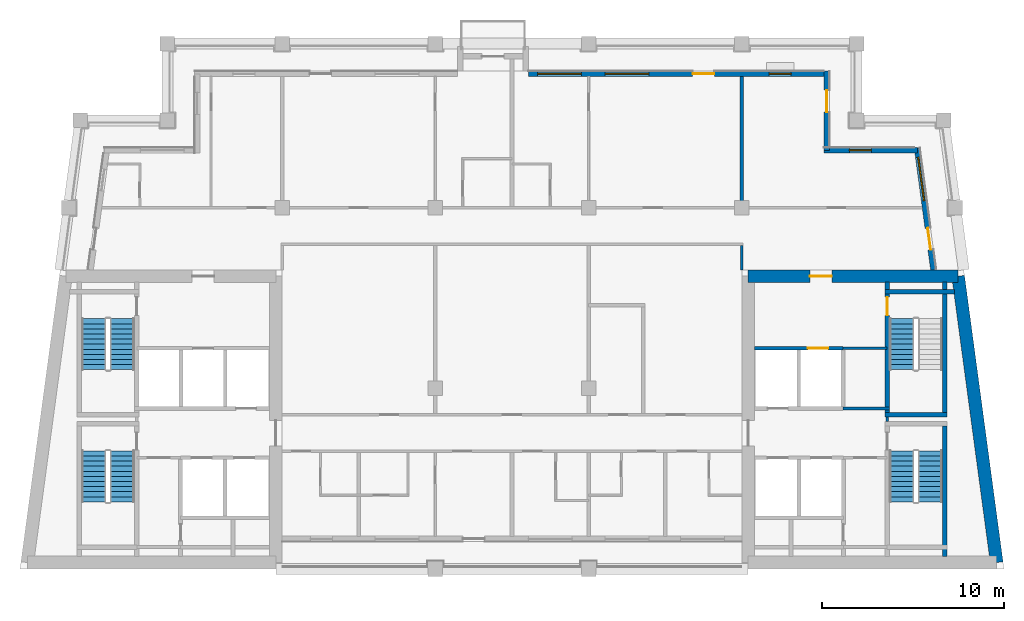
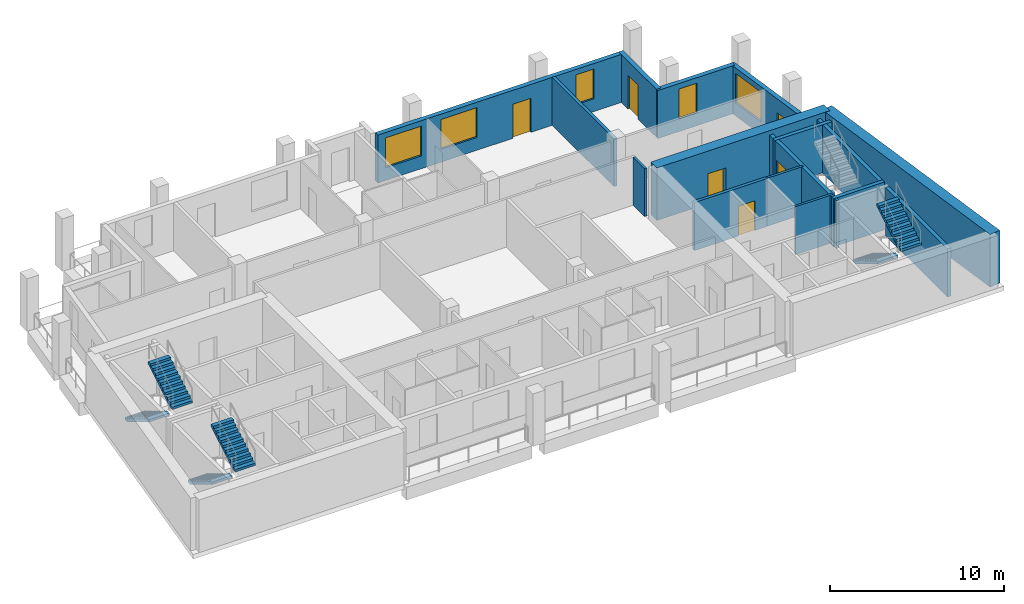
# One storey, part 5 of 10: 17 walls, 7 stair flights, 6 doors, 5 windows, 11 openings, 4 elements without a shape of their own.
"""IFC4 building model written with IfcOpenShell, lengths in metres."""

from ifc_helpers import new_model, si_unit, direction, frame, frame_2d, origin, place, context, subcontext, project, spatial, polyline, rectangle, outline, extrude, material, layer, layer_set, type_object, element, fill, aggregate, save


model = new_model("IFC4")

# Units and contexts
model_context = context("Model", 3, precision=1e-05, world=origin(), true_north=direction((0.0, 1.0)))
body_context = subcontext(model_context, "Body", "Model", "MODEL_VIEW")
ifc_project = project(units=[si_unit("LENGTHUNIT", "METRE"), si_unit("AREAUNIT", "SQUARE_METRE"), si_unit("VOLUMEUNIT", "CUBIC_METRE"), si_unit("PLANEANGLEUNIT", "RADIAN"), si_unit("MASSUNIT", "GRAM", prefix="KILO")], contexts=[model_context])

# Site, building, storey
site_placement = place(None, origin())
site = spatial("IfcSite", under=ifc_project, at=site_placement, CompositionType="ELEMENT")
building_placement = place(site_placement, origin())
building = spatial("IfcBuilding", under=site, at=building_placement, Name="Candeia Pilgrim Tower and Theatre", CompositionType="ELEMENT")
storey_placement = place(building_placement, frame((0.0, 0.0, 288.60009765625)))
storey = spatial("IfcBuildingStorey", under=building, at=storey_placement, Name="L70", CompositionType="ELEMENT", Elevation=288.60009765625)

# Wall, opening, door
ifc_material_1 = material(Name="Concrete C40/50", Category="concrete")
ifc_layer_1 = layer(ifc_material_1, 0.699951171875)
ifc_layer_set_1 = layer_set([ifc_layer_1], Name="Core wall 700 C40/50")
wall_type_1 = type_object("IfcWallType", Name="Core wall 700 C40/50", PredefinedType="SHEAR", material=ifc_layer_set_1)
wall_1_placement = place(storey_placement, frame((126.35009765625, 132.050048828125, 0.0), z_axis=(0.0, 0.0, 1.0), x_axis=(1.0, 0.0, 0.0)))
wall_1 = element("IfcWall", 1, at=wall_1_placement, inside=storey, type_object=wall_type_1, Name="Core wall E1", PredefinedType="SHEAR", context=body_context, shape_type="SweptSolid", body=[
    extrude(rectangle(XDim=11.51318359375, YDim=0.699951171875, at=frame_2d((5.756591796875, 0.0))), origin(), (0.0, 0.0, 1.0), 3.699951171875),
])
opening_1_placement = place(wall_1_placement, frame((3.386474609375, 0.0, 0.0)))
opening_1 = element("IfcOpeningElement", 2, at=opening_1_placement, cuts=wall_1, Name="Opening L70-D036", PredefinedType="OPENING", context=body_context, shape_type="SweptSolid", body=[
    extrude(rectangle(XDim=1.199951171875, YDim=2.10009765625, at=frame_2d((0.60009765625, 1.050048828125))), frame((0.0, 0.35986328125, 0.0), z_axis=(0.0, -1.0, 0.0), x_axis=(1.0, 0.0, 0.0)), (0.0, 0.0, 1.0), 0.719970703125),
])
ifc_material_2 = material(Name="Steel fire door set", Category="steel")
door_type_1 = type_object("IfcDoorType", Name="D-1200-FD60", OperationType="NOTDEFINED", PredefinedType="DOOR", material=ifc_material_2)
door_1_placement = place(opening_1_placement, origin())
door_1 = element("IfcDoor", 3, at=door_1_placement, inside=storey, type_object=door_type_1, Name="Door L70-D036", OperationType="SINGLE_SWING_RIGHT", OverallHeight=2.10009765625, OverallWidth=1.199951171875, PredefinedType="DOOR", context=body_context, shape_type="SweptSolid", body=[
    extrude(rectangle(XDim=1.199951171875, YDim=2.10009765625, at=frame_2d((0.60009765625, 1.050048828125))), frame((0.0, 0.02490234375, 0.0), z_axis=(0.0, -1.0, 0.0), x_axis=(1.0, 0.0, 0.0)), (0.0, 0.0, 1.0), 0.050048828125),
])
fill(opening_1, door_1)

# Wall
wall_2_placement = place(storey_placement, frame((137.86328125, 132.050048828125, 0.0), z_axis=(0.0, 0.0, 1.0), x_axis=(0.133401241494, -0.991062111458, 0.0)))
element("IfcWall", 4, at=wall_2_placement, inside=storey, type_object=wall_type_1, Name="Core wall E2", PredefinedType="SHEAR", context=body_context, shape_type="SweptSolid", body=[
    extrude(rectangle(XDim=15.841552734375, YDim=0.699951171875, at=frame_2d((7.9208984375, 0.0))), origin(), (0.0, 0.0, 1.0), 3.699951171875),
])

# Wall, openings, door, window
ifc_material_3 = material(Name="Ceramic block masonry", Category="masonry")
ifc_layer_2 = layer(ifc_material_3, 0.300048828125)
ifc_layer_set_2 = layer_set([ifc_layer_2], Name="EW1 glazing-line wall 300")
wall_type_2 = type_object("IfcWallType", Name="EW1 glazing-line wall 300", PredefinedType="SOLIDWALL", material=ifc_layer_set_2)
wall_3_placement = place(storey_placement, frame((136.50439453125, 132.39990234375, 0.0), z_axis=(0.0, 0.0, 1.0), x_axis=(-0.133399697462, 0.99106231929, 0.0)))
wall_3 = element("IfcWall", 5, at=wall_3_placement, inside=storey, type_object=wall_type_2, Name="External wall L70-2.0", PredefinedType="SOLIDWALL", context=body_context, shape_type="SweptSolid", body=[
    extrude(rectangle(XDim=6.740478515625, YDim=0.300048828125, at=frame_2d((3.3701171875, 0.0))), origin(), (0.0, 0.0, 1.0), 3.3798828125),
])
opening_2_placement = place(wall_3_placement, frame((1.115234375, 0.0, 0.0)))
opening_2 = element("IfcOpeningElement", 6, at=opening_2_placement, cuts=wall_3, Name="Opening L70-ED655", PredefinedType="OPENING", context=body_context, shape_type="SweptSolid", body=[
    extrude(rectangle(XDim=1.199951171875, YDim=2.39990234375, at=frame_2d((0.60009765625, 1.199951171875))), frame((0.0, 0.16015625, 0.0), z_axis=(0.0, -1.0, 0.0), x_axis=(1.0, 0.0, 0.0)), (0.0, 0.0, 1.0), 0.320068359375),
])
opening_3_placement = place(wall_3_placement, frame((3.83544921875, 0.0, 0.89990234375)))
opening_3 = element("IfcOpeningElement", 7, at=opening_3_placement, cuts=wall_3, Name="Opening W-A", PredefinedType="OPENING", context=body_context, shape_type="SweptSolid", body=[
    extrude(rectangle(XDim=2.39990234375, YDim=2.10009765625, at=frame_2d((1.199951171875, 1.050048828125))), frame((0.0, 0.16015625, 0.0), z_axis=(0.0, -1.0, 0.0), x_axis=(1.0, 0.0, 0.0)), (0.0, 0.0, 1.0), 0.320068359375),
])
ifc_material_4 = material(Name="Aluminium framed glazed door", Category="aluminium")
door_type_2 = type_object("IfcDoorType", Name="Loggia door 1200x2400", OperationType="DOUBLE_DOOR_SINGLE_SWING", PredefinedType="DOOR", material=ifc_material_4)
door_2_placement = place(opening_2_placement, origin())
door_2 = element("IfcDoor", 8, at=door_2_placement, inside=storey, type_object=door_type_2, Name="Loggia door L70-ED655", OperationType="DOUBLE_DOOR_SINGLE_SWING", OverallHeight=2.39990234375, OverallWidth=1.199951171875, PredefinedType="DOOR", context=body_context, shape_type="SweptSolid", body=[
    extrude(rectangle(XDim=1.199951171875, YDim=2.39990234375, at=frame_2d((0.60009765625, 1.199951171875))), frame((0.0, 0.02490234375, 0.0), z_axis=(0.0, -1.0, 0.0), x_axis=(1.0, 0.0, 0.0)), (0.0, 0.0, 1.0), 0.050048828125),
])
fill(opening_2, door_2)
ifc_material_5 = material(Name="Aluminium framed double glazing", Category="aluminium")
window_type_1 = type_object("IfcWindowType", Name="W-A window 2400x2100", PartitioningType="DOUBLE_PANEL_VERTICAL", PredefinedType="WINDOW", material=ifc_material_5)
window_1_placement = place(opening_3_placement, origin())
window_1 = element("IfcWindow", 9, at=window_1_placement, inside=storey, type_object=window_type_1, Name="Window W-A L70", OverallHeight=2.10009765625, OverallWidth=2.39990234375, PartitioningType="SINGLE_PANEL", PredefinedType="WINDOW", context=body_context, shape_type="SweptSolid", body=[
    extrude(rectangle(XDim=2.39990234375, YDim=2.10009765625, at=frame_2d((1.199951171875, 1.050048828125))), frame((0.0, 0.030029296875, 0.0), z_axis=(0.0, -1.0, 0.0), x_axis=(1.0, 0.0, 0.0)), (0.0, 0.0, 1.0), 0.06005859375),
])
fill(opening_3, window_1)

# Wall, opening, window
wall_4_placement = place(storey_placement, frame((135.62255859375, 138.949951171875, 0.0), z_axis=(0.0, 0.0, 1.0), x_axis=(-1.0, 0.0, 0.0)))
wall_4 = element("IfcWall", 10, at=wall_4_placement, inside=storey, type_object=wall_type_2, Name="External wall L70-3.0", PredefinedType="SOLIDWALL", context=body_context, shape_type="SweptSolid", body=[
    extrude(rectangle(XDim=5.12255859375, YDim=0.300048828125, at=frame_2d((2.561279296875, 0.0))), origin(), (0.0, 0.0, 1.0), 3.3798828125),
])
opening_4_placement = place(wall_4_placement, frame((2.522705078125, 0.0, 0.89990234375)))
opening_4 = element("IfcOpeningElement", 11, at=opening_4_placement, cuts=wall_4, Name="Opening W-B", PredefinedType="OPENING", context=body_context, shape_type="SweptSolid", body=[
    extrude(rectangle(XDim=1.199951171875, YDim=2.10009765625, at=frame_2d((0.60009765625, 1.050048828125))), frame((0.0, 0.16015625, 0.0), z_axis=(0.0, -1.0, 0.0), x_axis=(1.0, 0.0, 0.0)), (0.0, 0.0, 1.0), 0.320068359375),
])
window_type_2 = type_object("IfcWindowType", Name="W-B window 1200x2100", PartitioningType="SINGLE_PANEL", PredefinedType="WINDOW", material=ifc_material_5)
window_2_placement = place(opening_4_placement, origin())
window_2 = element("IfcWindow", 12, at=window_2_placement, inside=storey, type_object=window_type_2, Name="Window W-B L70", OverallHeight=2.10009765625, OverallWidth=1.199951171875, PartitioningType="SINGLE_PANEL", PredefinedType="WINDOW", context=body_context, shape_type="SweptSolid", body=[
    extrude(rectangle(XDim=1.199951171875, YDim=2.10009765625, at=frame_2d((0.60009765625, 1.050048828125))), frame((0.0, 0.030029296875, 0.0), z_axis=(0.0, -1.0, 0.0), x_axis=(1.0, 0.0, 0.0)), (0.0, 0.0, 1.0), 0.06005859375),
])
fill(opening_4, window_2)

# Wall, opening, door
wall_5_placement = place(storey_placement, frame((130.64990234375, 138.949951171875, 0.0), z_axis=(0.0, 0.0, 1.0), x_axis=(0.0, 1.0, 0.0)))
wall_5 = element("IfcWall", 13, at=wall_5_placement, inside=storey, type_object=wall_type_2, Name="External wall L70-4.0", PredefinedType="SOLIDWALL", context=body_context, shape_type="SweptSolid", body=[
    extrude(rectangle(XDim=4.35009765625, YDim=0.300048828125, at=frame_2d((2.175048828125, 0.0))), origin(), (0.0, 0.0, 1.0), 3.3798828125),
])
opening_5_placement = place(wall_5_placement, frame((2.10009765625, 0.0, 0.0)))
opening_5 = element("IfcOpeningElement", 14, at=opening_5_placement, cuts=wall_5, Name="Opening L70-ED656", PredefinedType="OPENING", context=body_context, shape_type="SweptSolid", body=[
    extrude(rectangle(XDim=1.199951171875, YDim=2.39990234375, at=frame_2d((0.60009765625, 1.199951171875))), frame((0.0, 0.16015625, 0.0), z_axis=(0.0, -1.0, 0.0), x_axis=(1.0, 0.0, 0.0)), (0.0, 0.0, 1.0), 0.320068359375),
])
door_3_placement = place(opening_5_placement, origin())
door_3 = element("IfcDoor", 15, at=door_3_placement, inside=storey, type_object=door_type_2, Name="Loggia door L70-ED656", OperationType="DOUBLE_DOOR_SINGLE_SWING", OverallHeight=2.39990234375, OverallWidth=1.199951171875, PredefinedType="DOOR", context=body_context, shape_type="SweptSolid", body=[
    extrude(rectangle(XDim=1.199951171875, YDim=2.39990234375, at=frame_2d((0.60009765625, 1.199951171875))), frame((0.0, 0.02490234375, 0.0), z_axis=(0.0, -1.0, 0.0), x_axis=(1.0, 0.0, 0.0)), (0.0, 0.0, 1.0), 0.050048828125),
])
fill(opening_5, door_3)

# Wall, openings, door, windows
wall_6_placement = place(storey_placement, frame((130.64990234375, 143.14990234375, 0.0), z_axis=(0.0, 0.0, 1.0), x_axis=(-1.0, 0.0, 0.0)))
wall_6 = element("IfcWall", 16, at=wall_6_placement, inside=storey, type_object=wall_type_2, Name="External wall L70-5.0", PredefinedType="SOLIDWALL", context=body_context, shape_type="SweptSolid", body=[
    extrude(rectangle(XDim=16.349853515625, YDim=0.300048828125, at=frame_2d((8.1748046875, 0.0))), origin(), (0.0, 0.0, 1.0), 3.3798828125),
])
opening_6_placement = place(wall_6_placement, frame((1.949951171875, 0.0, 0.89990234375)))
opening_6 = element("IfcOpeningElement", 17, at=opening_6_placement, cuts=wall_6, Name="Opening W-B", PredefinedType="OPENING", context=body_context, shape_type="SweptSolid", body=[
    extrude(rectangle(XDim=1.199951171875, YDim=2.10009765625, at=frame_2d((0.60009765625, 1.050048828125))), frame((0.0, 0.16015625, 0.0), z_axis=(0.0, -1.0, 0.0), x_axis=(1.0, 0.0, 0.0)), (0.0, 0.0, 1.0), 0.320068359375),
])
opening_7_placement = place(wall_6_placement, frame((6.14990234375, 0.0, 0.0)))
opening_7 = element("IfcOpeningElement", 18, at=opening_7_placement, cuts=wall_6, Name="Opening L70-ED657", PredefinedType="OPENING", context=body_context, shape_type="SweptSolid", body=[
    extrude(rectangle(XDim=1.199951171875, YDim=2.39990234375, at=frame_2d((0.60009765625, 1.199951171875))), frame((0.0, 0.16015625, 0.0), z_axis=(0.0, -1.0, 0.0), x_axis=(1.0, 0.0, 0.0)), (0.0, 0.0, 1.0), 0.320068359375),
])
opening_8_placement = place(wall_6_placement, frame((9.75, 0.0, 0.89990234375)))
opening_8 = element("IfcOpeningElement", 19, at=opening_8_placement, cuts=wall_6, Name="Opening W-A", PredefinedType="OPENING", context=body_context, shape_type="SweptSolid", body=[
    extrude(rectangle(XDim=2.39990234375, YDim=2.10009765625, at=frame_2d((1.199951171875, 1.050048828125))), frame((0.0, 0.16015625, 0.0), z_axis=(0.0, -1.0, 0.0), x_axis=(1.0, 0.0, 0.0)), (0.0, 0.0, 1.0), 0.320068359375),
])
opening_9_placement = place(wall_6_placement, frame((13.449951171875, 0.0, 0.89990234375)))
opening_9 = element("IfcOpeningElement", 20, at=opening_9_placement, cuts=wall_6, Name="Opening W-A", PredefinedType="OPENING", context=body_context, shape_type="SweptSolid", body=[
    extrude(rectangle(XDim=2.39990234375, YDim=2.10009765625, at=frame_2d((1.199951171875, 1.050048828125))), frame((0.0, 0.16015625, 0.0), z_axis=(0.0, -1.0, 0.0), x_axis=(1.0, 0.0, 0.0)), (0.0, 0.0, 1.0), 0.320068359375),
])
door_4_placement = place(opening_7_placement, origin())
door_4 = element("IfcDoor", 21, at=door_4_placement, inside=storey, type_object=door_type_2, Name="Loggia door L70-ED657", OperationType="DOUBLE_DOOR_SINGLE_SWING", OverallHeight=2.39990234375, OverallWidth=1.199951171875, PredefinedType="DOOR", context=body_context, shape_type="SweptSolid", body=[
    extrude(rectangle(XDim=1.199951171875, YDim=2.39990234375, at=frame_2d((0.60009765625, 1.199951171875))), frame((0.0, 0.02490234375, 0.0), z_axis=(0.0, -1.0, 0.0), x_axis=(1.0, 0.0, 0.0)), (0.0, 0.0, 1.0), 0.050048828125),
])
fill(opening_7, door_4)
window_3_placement = place(opening_8_placement, origin())
window_3 = element("IfcWindow", 22, at=window_3_placement, inside=storey, type_object=window_type_1, Name="Window W-A L70", OverallHeight=2.10009765625, OverallWidth=2.39990234375, PartitioningType="SINGLE_PANEL", PredefinedType="WINDOW", context=body_context, shape_type="SweptSolid", body=[
    extrude(rectangle(XDim=2.39990234375, YDim=2.10009765625, at=frame_2d((1.199951171875, 1.050048828125))), frame((0.0, 0.030029296875, 0.0), z_axis=(0.0, -1.0, 0.0), x_axis=(1.0, 0.0, 0.0)), (0.0, 0.0, 1.0), 0.06005859375),
])
fill(opening_8, window_3)
window_4_placement = place(opening_9_placement, origin())
window_4 = element("IfcWindow", 23, at=window_4_placement, inside=storey, type_object=window_type_1, Name="Window W-A L70", OverallHeight=2.10009765625, OverallWidth=2.39990234375, PartitioningType="SINGLE_PANEL", PredefinedType="WINDOW", context=body_context, shape_type="SweptSolid", body=[
    extrude(rectangle(XDim=2.39990234375, YDim=2.10009765625, at=frame_2d((1.199951171875, 1.050048828125))), frame((0.0, 0.030029296875, 0.0), z_axis=(0.0, -1.0, 0.0), x_axis=(1.0, 0.0, 0.0)), (0.0, 0.0, 1.0), 0.06005859375),
])
fill(opening_9, window_4)
window_5_placement = place(opening_6_placement, origin())
window_5 = element("IfcWindow", 24, at=window_5_placement, inside=storey, type_object=window_type_2, Name="Window W-B L70", OverallHeight=2.10009765625, OverallWidth=1.199951171875, PartitioningType="SINGLE_PANEL", PredefinedType="WINDOW", context=body_context, shape_type="SweptSolid", body=[
    extrude(rectangle(XDim=1.199951171875, YDim=2.10009765625, at=frame_2d((0.60009765625, 1.050048828125))), frame((0.0, 0.030029296875, 0.0), z_axis=(0.0, -1.0, 0.0), x_axis=(1.0, 0.0, 0.0)), (0.0, 0.0, 1.0), 0.06005859375),
])
fill(opening_6, window_5)

# Walls
ifc_material_6 = material(Name="Gypsum board partition on steel studs", Category="steel")
ifc_layer_3 = layer(ifc_material_6, 0.14990234375)
ifc_layer_set_3 = layer_set([ifc_layer_3], Name="PW-150 lobby wall")
wall_type_3 = type_object("IfcWallType", Name="PW-150 lobby wall", PredefinedType="PARTITIONING", material=ifc_layer_set_3)
wall_7_placement = place(storey_placement, frame((131.548583984375, 124.800048828125, 0.0), z_axis=(0.0, 0.0, 1.0), x_axis=(1.0, 0.0, 0.0)))
element("IfcWall", 25, at=wall_7_placement, inside=storey, type_object=wall_type_3, Name="Lobby wall L70-025", PredefinedType="PARTITIONING", context=body_context, shape_type="SweptSolid", body=[
    extrude(rectangle(XDim=2.54931640625, YDim=0.14990234375, at=frame_2d((1.274658203125, 0.0))), origin(), (0.0, 0.0, 1.0), 3.3798828125),
])
wall_8_placement = place(storey_placement, frame((131.548583984375, 128.10009765625, 0.0), z_axis=(0.0, 0.0, 1.0), x_axis=(1.0, 0.0, 0.0)))
element("IfcWall", 26, at=wall_8_placement, inside=storey, type_object=wall_type_3, Name="Lobby wall L70-028", PredefinedType="PARTITIONING", context=body_context, shape_type="SweptSolid", body=[
    extrude(rectangle(XDim=2.42431640625, YDim=0.14990234375, at=frame_2d((1.212158203125, 0.0))), origin(), (0.0, 0.0, 1.0), 3.3798828125),
])
wall_9_placement = place(storey_placement, frame((133.972900390625, 124.074951171875, 0.0), z_axis=(0.0, 0.0, 1.0), x_axis=(0.0, 1.0, 0.0)))
element("IfcWall", 27, at=wall_9_placement, inside=storey, type_object=wall_type_3, Name="Lobby wall L70-076", PredefinedType="PARTITIONING", context=body_context, shape_type="SweptSolid", body=[
    extrude(rectangle(XDim=0.25, YDim=0.14990234375, at=frame_2d((0.125, 0.0))), origin(), (0.0, 0.0, 1.0), 3.3798828125),
])
ifc_layer_4 = layer(ifc_material_6, 0.14990234375)
ifc_layer_set_4 = layer_set([ifc_layer_4], Name="PW-150 unit wall")
wall_type_4 = type_object("IfcWallType", Name="PW-150 unit wall", PredefinedType="PARTITIONING", material=ifc_layer_set_4)
wall_10_placement = place(storey_placement, frame((126.0, 132.39990234375, 0.0), z_axis=(0.0, 0.0, 1.0), x_axis=(0.0, 1.0, 0.0)))
element("IfcWall", 28, at=wall_10_placement, inside=storey, type_object=wall_type_4, Name="Unit wall L70-070", PredefinedType="PARTITIONING", context=body_context, shape_type="SweptSolid", body=[
    extrude(rectangle(XDim=1.3251953125, YDim=0.14990234375, at=frame_2d((0.66259765625, 0.0))), origin(), (0.0, 0.0, 1.0), 3.3798828125),
])
ifc_layer_5 = layer(ifc_material_6, 0.199951171875)
ifc_layer_set_5 = layer_set([ifc_layer_5], Name="PW-200 party wall")
wall_type_5 = type_object("IfcWallType", Name="PW-200 party wall", PredefinedType="PARTITIONING", material=ifc_layer_set_5)
wall_11_placement = place(storey_placement, frame((126.0, 135.875, 0.0), z_axis=(0.0, 0.0, 1.0), x_axis=(0.0, 1.0, 0.0)))
element("IfcWall", 29, at=wall_11_placement, inside=storey, type_object=wall_type_5, Name="Party wall L70-069", PredefinedType="PARTITIONING", context=body_context, shape_type="SweptSolid", body=[
    extrude(rectangle(XDim=7.135009765625, YDim=0.199951171875, at=frame_2d((3.5673828125, 0.0))), origin(), (0.0, 0.0, 1.0), 3.3798828125),
])

# Wall, opening, door
ifc_layer_6 = layer(ifc_material_1, 0.199951171875)
ifc_layer_set_6 = layer_set([ifc_layer_6], Name="SW-200 shaft wall")
wall_type_6 = type_object("IfcWallType", Name="SW-200 shaft wall", PredefinedType="PARTITIONING", material=ifc_layer_set_6)
wall_12_placement = place(storey_placement, frame((126.699951171875, 128.10009765625, 0.0), z_axis=(0.0, 0.0, 1.0), x_axis=(1.0, 0.0, 0.0)))
wall_12 = element("IfcWall", 30, at=wall_12_placement, inside=storey, type_object=wall_type_6, Name="Shaft wall L70-027", PredefinedType="PARTITIONING", context=body_context, shape_type="SweptSolid", body=[
    extrude(rectangle(XDim=4.8486328125, YDim=0.199951171875, at=frame_2d((2.42431640625, 0.0))), origin(), (0.0, 0.0, 1.0), 3.3798828125),
])
opening_10_placement = place(wall_12_placement, frame((2.929931640625, 0.0, 0.0)))
opening_10 = element("IfcOpeningElement", 31, at=opening_10_placement, cuts=wall_12, Name="Opening L70-LD07", PredefinedType="OPENING", context=body_context, shape_type="SweptSolid", body=[
    extrude(rectangle(XDim=1.10009765625, YDim=2.10009765625, at=frame_2d((0.550048828125, 1.050048828125))), frame((0.0, 0.10986328125, 0.0), z_axis=(0.0, -1.0, 0.0), x_axis=(1.0, 0.0, 0.0)), (0.0, 0.0, 1.0), 0.219970703125),
])
ifc_material_7 = material(Name="Glazed aluminium landing door", Category="aluminium")
door_type_3 = type_object("IfcDoorType", Name="LD-1100-EI120", OperationType="SLIDING_TO_LEFT", PredefinedType="DOOR", material=ifc_material_7)
door_5_placement = place(opening_10_placement, origin())
door_5 = element("IfcDoor", 32, at=door_5_placement, inside=storey, type_object=door_type_3, Name="Landing door 07 L70", OperationType="SLIDING_TO_LEFT", OverallHeight=2.10009765625, OverallWidth=1.10009765625, PredefinedType="DOOR", context=body_context, shape_type="SweptSolid", body=[
    extrude(rectangle(XDim=1.10009765625, YDim=2.10009765625, at=frame_2d((0.550048828125, 1.050048828125))), frame((0.0, 0.02490234375, 0.0), z_axis=(0.0, -1.0, 0.0), x_axis=(1.0, 0.0, 0.0)), (0.0, 0.0, 1.0), 0.050048828125),
])
fill(opening_10, door_5)

# Walls
ifc_layer_7 = layer(ifc_material_1, 0.25)
ifc_layer_set_7 = layer_set([ifc_layer_7], Name="SW-250 stair wall")
wall_type_7 = type_object("IfcWallType", Name="SW-250 stair wall", PredefinedType="PARTITIONING", material=ifc_layer_set_7)
wall_13_placement = place(storey_placement, frame((133.847900390625, 124.449951171875, 0.0), z_axis=(0.0, 0.0, 1.0), x_axis=(1.0, 0.0, 0.0)))
element("IfcWall", 33, at=wall_13_placement, inside=storey, type_object=wall_type_7, Name="Stair wall L70-021", PredefinedType="PARTITIONING", context=body_context, shape_type="SweptSolid", body=[
    extrude(rectangle(XDim=3.400146484375, YDim=0.25, at=frame_2d((1.7001953125, 0.0))), origin(), (0.0, 0.0, 1.0), 3.3798828125),
])
wall_14_placement = place(storey_placement, frame((133.847900390625, 131.199951171875, 0.0), z_axis=(0.0, 0.0, 1.0), x_axis=(1.0, 0.0, 0.0)))
element("IfcWall", 34, at=wall_14_placement, inside=storey, type_object=wall_type_7, Name="Stair wall L70-031", PredefinedType="PARTITIONING", context=body_context, shape_type="SweptSolid", body=[
    extrude(rectangle(XDim=3.806640625, YDim=0.25, at=frame_2d((1.9033203125, 0.0))), origin(), (0.0, 0.0, 1.0), 3.3798828125),
])

# Wall, opening, door
wall_15_placement = place(storey_placement, frame((133.972900390625, 124.574951171875, 0.0), z_axis=(0.0, 0.0, 1.0), x_axis=(0.0, 1.0, 0.0)))
wall_15 = element("IfcWall", 35, at=wall_15_placement, inside=storey, type_object=wall_type_7, Name="Stair wall L70-078", PredefinedType="PARTITIONING", context=body_context, shape_type="SweptSolid", body=[
    extrude(rectangle(XDim=7.155029296875, YDim=0.25, at=frame_2d((3.57763671875, 0.0))), origin(), (0.0, 0.0, 1.0), 3.3798828125),
])
opening_11_placement = place(wall_15_placement, frame((5.324951171875, 0.0, 0.0)))
opening_11 = element("IfcOpeningElement", 36, at=opening_11_placement, cuts=wall_15, Name="Opening L70-D007", PredefinedType="OPENING", context=body_context, shape_type="SweptSolid", body=[
    extrude(rectangle(XDim=1.0, YDim=2.10009765625, at=frame_2d((0.5, 1.050048828125))), frame((0.0, 0.135009765625, 0.0), z_axis=(0.0, -1.0, 0.0), x_axis=(1.0, 0.0, 0.0)), (0.0, 0.0, 1.0), 0.27001953125),
])
door_type_4 = type_object("IfcDoorType", Name="D-1000-FD60", OperationType="NOTDEFINED", PredefinedType="DOOR", material=ifc_material_2)
door_6_placement = place(opening_11_placement, origin())
door_6 = element("IfcDoor", 37, at=door_6_placement, inside=storey, type_object=door_type_4, Name="Door L70-D007", OperationType="SINGLE_SWING_LEFT", OverallHeight=2.10009765625, OverallWidth=1.0, PredefinedType="DOOR", context=body_context, shape_type="SweptSolid", body=[
    extrude(rectangle(XDim=1.0, YDim=2.10009765625, at=frame_2d((0.5, 1.050048828125))), frame((0.0, 0.02490234375, 0.0), z_axis=(0.0, -1.0, 0.0), x_axis=(1.0, 0.0, 0.0)), (0.0, 0.0, 1.0), 0.050048828125),
])
fill(opening_11, door_6)

# Walls
for number, where, z_axis, x_axis, name in (
    (38, (137.123046875, 116.669921875, 0.0), (0.0, 0.0, 1.0), (0.0, 1.0, 0.0), "Stair wall L70-079"),
    (39, (137.123046875, 124.574951171875, 0.0), (0.0, 0.0, 1.0), (0.0, 1.0, 0.0), "Stair wall L70-080"),
):
    element("IfcWall", number, at=place(storey_placement, frame(where, z_axis=z_axis, x_axis=x_axis)), inside=storey, type_object=wall_type_7, Name=name, PredefinedType="PARTITIONING", context=body_context, shape_type="SweptSolid", body=[
        extrude(rectangle(XDim=7.155029296875, YDim=0.25, at=frame_2d((3.57763671875, 0.0))), origin(), (0.0, 0.0, 1.0), 3.3798828125),
    ])

# Stair, stair flights
stair_type = type_object("IfcStairType", Name="ST-TWR dog-leg escape stair", PredefinedType="HALF_TURN_STAIR", material=ifc_material_1)
stair_1_placement = place(storey_placement, origin())
stair_1 = element("IfcStair", 40, at=stair_1_placement, inside=storey, type_object=stair_type, Name="L70 Escape stair ST1", PredefinedType="HALF_TURN_STAIR")
stair_flight_type = type_object("IfcStairFlightType", Name="SFL-RC stair flight", PredefinedType="STRAIGHT", material=ifc_material_1)
stair_flight_1_placement = place(storey_placement, frame((90.47705078125, 122.47509765625, 0.0), z_axis=(0.0, 0.0, 1.0), x_axis=(0.0, -1.0, 0.0)))
stair_flight_1 = element("IfcStairFlight", 41, at=stair_flight_1_placement, type_object=stair_flight_type, Name="ST1 flight 1", NumberOfRisers=11, NumberOfTreads=10, PredefinedType="STRAIGHT", RiserHeight=0.168181818, TreadLength=0.28, context=body_context, shape_type="SweptSolid", body=[
    extrude(outline(polyline([(0.0, 0.0), (0.0, 0.168212890625), (0.280029296875, 0.168212890625), (0.280029296875, 0.33642578125), (0.56005859375, 0.33642578125), (0.56005859375, 0.504638671875), (0.840087890625, 0.504638671875), (0.840087890625, 0.672607421875), (1.1201171875, 0.672607421875), (1.1201171875, 0.8408203125), (1.39990234375, 0.8408203125), (1.39990234375, 1.009033203125), (1.679931640625, 1.009033203125), (1.679931640625, 1.17724609375), (1.9599609375, 1.17724609375), (1.9599609375, 1.345458984375), (2.239990234375, 1.345458984375), (2.239990234375, 1.513671875), (2.52001953125, 1.513671875), (2.52001953125, 1.681884765625), (2.800048828125, 1.681884765625), (2.800048828125, 1.85009765625), (2.800048828125, 1.5068359375), (0.291015625, 0.0), (0.0, 0.0)])), frame((0.0, 0.675048828125, 0.0), z_axis=(0.0, -1.0, 0.0), x_axis=(1.0, 0.0, 0.0)), (0.0, 0.0, 1.0), 1.35009765625),
])
stair_flight_2_placement = place(storey_placement, frame((92.027099609375, 119.675048828125, 1.849853515625), z_axis=(0.0, 0.0, 1.0), x_axis=(0.0, 1.0, 0.0)))
stair_flight_2 = element("IfcStairFlight", 42, at=stair_flight_2_placement, type_object=stair_flight_type, Name="ST1 flight 2", NumberOfRisers=11, NumberOfTreads=10, PredefinedType="STRAIGHT", RiserHeight=0.168181818, TreadLength=0.28, context=body_context, shape_type="SweptSolid", body=[
    extrude(outline(polyline([(0.0, 0.0), (0.0, 0.168212890625), (0.280029296875, 0.168212890625), (0.280029296875, 0.33642578125), (0.56005859375, 0.33642578125), (0.56005859375, 0.504638671875), (0.840087890625, 0.504638671875), (0.840087890625, 0.672607421875), (1.1201171875, 0.672607421875), (1.1201171875, 0.8408203125), (1.39990234375, 0.8408203125), (1.39990234375, 1.009033203125), (1.679931640625, 1.009033203125), (1.679931640625, 1.17724609375), (1.9599609375, 1.17724609375), (1.9599609375, 1.345458984375), (2.239990234375, 1.345458984375), (2.239990234375, 1.513671875), (2.52001953125, 1.513671875), (2.52001953125, 1.681884765625), (2.800048828125, 1.681884765625), (2.800048828125, 1.85009765625), (2.800048828125, 1.5068359375), (0.291015625, 0.0), (0.0, 0.0)])), frame((0.0, 0.675048828125, 0.0), z_axis=(0.0, -1.0, 0.0), x_axis=(1.0, 0.0, 0.0)), (0.0, 0.0, 1.0), 1.35009765625),
])
aggregate(stair_1, [stair_flight_1, stair_flight_2])

stair_2_placement = place(storey_placement, origin())
stair_2 = element("IfcStair", 43, at=stair_2_placement, inside=storey, type_object=stair_type, Name="L70 Escape stair ST2", PredefinedType="HALF_TURN_STAIR")
stair_flight_3_placement = place(storey_placement, frame((90.47705078125, 129.72509765625, 0.0), z_axis=(0.0, 0.0, 1.0), x_axis=(0.0, -1.0, 0.0)))
stair_flight_3 = element("IfcStairFlight", 44, at=stair_flight_3_placement, type_object=stair_flight_type, Name="ST2 flight 1", NumberOfRisers=11, NumberOfTreads=10, PredefinedType="STRAIGHT", RiserHeight=0.168181818, TreadLength=0.28, context=body_context, shape_type="SweptSolid", body=[
    extrude(outline(polyline([(0.0, 0.0), (0.0, 0.168212890625), (0.280029296875, 0.168212890625), (0.280029296875, 0.33642578125), (0.56005859375, 0.33642578125), (0.56005859375, 0.504638671875), (0.840087890625, 0.504638671875), (0.840087890625, 0.672607421875), (1.1201171875, 0.672607421875), (1.1201171875, 0.8408203125), (1.39990234375, 0.8408203125), (1.39990234375, 1.009033203125), (1.679931640625, 1.009033203125), (1.679931640625, 1.17724609375), (1.9599609375, 1.17724609375), (1.9599609375, 1.345458984375), (2.239990234375, 1.345458984375), (2.239990234375, 1.513671875), (2.52001953125, 1.513671875), (2.52001953125, 1.681884765625), (2.800048828125, 1.681884765625), (2.800048828125, 1.85009765625), (2.800048828125, 1.5068359375), (0.291015625, 0.0), (0.0, 0.0)])), frame((0.0, 0.675048828125, 0.0), z_axis=(0.0, -1.0, 0.0), x_axis=(1.0, 0.0, 0.0)), (0.0, 0.0, 1.0), 1.35009765625),
])
stair_flight_4_placement = place(storey_placement, frame((92.027099609375, 126.925048828125, 1.849853515625), z_axis=(0.0, 0.0, 1.0), x_axis=(0.0, 1.0, 0.0)))
stair_flight_4 = element("IfcStairFlight", 45, at=stair_flight_4_placement, type_object=stair_flight_type, Name="ST2 flight 2", NumberOfRisers=11, NumberOfTreads=10, PredefinedType="STRAIGHT", RiserHeight=0.168181818, TreadLength=0.28, context=body_context, shape_type="SweptSolid", body=[
    extrude(outline(polyline([(0.0, 0.0), (0.0, 0.168212890625), (0.280029296875, 0.168212890625), (0.280029296875, 0.33642578125), (0.56005859375, 0.33642578125), (0.56005859375, 0.504638671875), (0.840087890625, 0.504638671875), (0.840087890625, 0.672607421875), (1.1201171875, 0.672607421875), (1.1201171875, 0.8408203125), (1.39990234375, 0.8408203125), (1.39990234375, 1.009033203125), (1.679931640625, 1.009033203125), (1.679931640625, 1.17724609375), (1.9599609375, 1.17724609375), (1.9599609375, 1.345458984375), (2.239990234375, 1.345458984375), (2.239990234375, 1.513671875), (2.52001953125, 1.513671875), (2.52001953125, 1.681884765625), (2.800048828125, 1.681884765625), (2.800048828125, 1.85009765625), (2.800048828125, 1.5068359375), (0.291015625, 0.0), (0.0, 0.0)])), frame((0.0, 0.675048828125, 0.0), z_axis=(0.0, -1.0, 0.0), x_axis=(1.0, 0.0, 0.0)), (0.0, 0.0, 1.0), 1.35009765625),
])
aggregate(stair_2, [stair_flight_3, stair_flight_4])

stair_3_placement = place(storey_placement, origin())
stair_3 = element("IfcStair", 46, at=stair_3_placement, inside=storey, type_object=stair_type, Name="L70 Escape stair ST3", PredefinedType="HALF_TURN_STAIR")
stair_flight_5_placement = place(storey_placement, frame((134.77294921875, 122.47509765625, 0.0), z_axis=(0.0, 0.0, 1.0), x_axis=(0.0, -1.0, 0.0)))
stair_flight_5 = element("IfcStairFlight", 47, at=stair_flight_5_placement, type_object=stair_flight_type, Name="ST3 flight 1", NumberOfRisers=11, NumberOfTreads=10, PredefinedType="STRAIGHT", RiserHeight=0.168181818, TreadLength=0.28, context=body_context, shape_type="SweptSolid", body=[
    extrude(outline(polyline([(0.0, 0.0), (0.0, 0.168212890625), (0.280029296875, 0.168212890625), (0.280029296875, 0.33642578125), (0.56005859375, 0.33642578125), (0.56005859375, 0.504638671875), (0.840087890625, 0.504638671875), (0.840087890625, 0.672607421875), (1.1201171875, 0.672607421875), (1.1201171875, 0.8408203125), (1.39990234375, 0.8408203125), (1.39990234375, 1.009033203125), (1.679931640625, 1.009033203125), (1.679931640625, 1.17724609375), (1.9599609375, 1.17724609375), (1.9599609375, 1.345458984375), (2.239990234375, 1.345458984375), (2.239990234375, 1.513671875), (2.52001953125, 1.513671875), (2.52001953125, 1.681884765625), (2.800048828125, 1.681884765625), (2.800048828125, 1.85009765625), (2.800048828125, 1.5068359375), (0.291015625, 0.0), (0.0, 0.0)])), frame((0.0, 0.675048828125, 0.0), z_axis=(0.0, -1.0, 0.0), x_axis=(1.0, 0.0, 0.0)), (0.0, 0.0, 1.0), 1.35009765625),
])
stair_flight_6_placement = place(storey_placement, frame((136.322998046875, 119.675048828125, 1.849853515625), z_axis=(0.0, 0.0, 1.0), x_axis=(0.0, 1.0, 0.0)))
stair_flight_6 = element("IfcStairFlight", 48, at=stair_flight_6_placement, type_object=stair_flight_type, Name="ST3 flight 2", NumberOfRisers=11, NumberOfTreads=10, PredefinedType="STRAIGHT", RiserHeight=0.168181818, TreadLength=0.28, context=body_context, shape_type="SweptSolid", body=[
    extrude(outline(polyline([(0.0, 0.0), (0.0, 0.168212890625), (0.280029296875, 0.168212890625), (0.280029296875, 0.33642578125), (0.56005859375, 0.33642578125), (0.56005859375, 0.504638671875), (0.840087890625, 0.504638671875), (0.840087890625, 0.672607421875), (1.1201171875, 0.672607421875), (1.1201171875, 0.8408203125), (1.39990234375, 0.8408203125), (1.39990234375, 1.009033203125), (1.679931640625, 1.009033203125), (1.679931640625, 1.17724609375), (1.9599609375, 1.17724609375), (1.9599609375, 1.345458984375), (2.239990234375, 1.345458984375), (2.239990234375, 1.513671875), (2.52001953125, 1.513671875), (2.52001953125, 1.681884765625), (2.800048828125, 1.681884765625), (2.800048828125, 1.85009765625), (2.800048828125, 1.5068359375), (0.291015625, 0.0), (0.0, 0.0)])), frame((0.0, 0.675048828125, 0.0), z_axis=(0.0, -1.0, 0.0), x_axis=(1.0, 0.0, 0.0)), (0.0, 0.0, 1.0), 1.35009765625),
])
aggregate(stair_3, [stair_flight_5, stair_flight_6])

# Stair, stair flight
stair_4_placement = place(storey_placement, origin())
stair_4 = element("IfcStair", 49, at=stair_4_placement, inside=storey, type_object=stair_type, Name="L70 Escape stair ST4", PredefinedType="HALF_TURN_STAIR")
stair_flight_7_placement = place(storey_placement, frame((134.77294921875, 129.72509765625, 0.0), z_axis=(0.0, 0.0, 1.0), x_axis=(0.0, -1.0, 0.0)))
stair_flight_7 = element("IfcStairFlight", 50, at=stair_flight_7_placement, type_object=stair_flight_type, Name="ST4 flight 1", NumberOfRisers=11, NumberOfTreads=10, PredefinedType="STRAIGHT", RiserHeight=0.168181818, TreadLength=0.28, context=body_context, shape_type="SweptSolid", body=[
    extrude(outline(polyline([(0.0, 0.0), (0.0, 0.168212890625), (0.280029296875, 0.168212890625), (0.280029296875, 0.33642578125), (0.56005859375, 0.33642578125), (0.56005859375, 0.504638671875), (0.840087890625, 0.504638671875), (0.840087890625, 0.672607421875), (1.1201171875, 0.672607421875), (1.1201171875, 0.8408203125), (1.39990234375, 0.8408203125), (1.39990234375, 1.009033203125), (1.679931640625, 1.009033203125), (1.679931640625, 1.17724609375), (1.9599609375, 1.17724609375), (1.9599609375, 1.345458984375), (2.239990234375, 1.345458984375), (2.239990234375, 1.513671875), (2.52001953125, 1.513671875), (2.52001953125, 1.681884765625), (2.800048828125, 1.681884765625), (2.800048828125, 1.85009765625), (2.800048828125, 1.5068359375), (0.291015625, 0.0), (0.0, 0.0)])), frame((0.0, 0.675048828125, 0.0), z_axis=(0.0, -1.0, 0.0), x_axis=(1.0, 0.0, 0.0)), (0.0, 0.0, 1.0), 1.35009765625),
])
aggregate(stair_4, [stair_flight_7])

save(model, "model.ifc")
